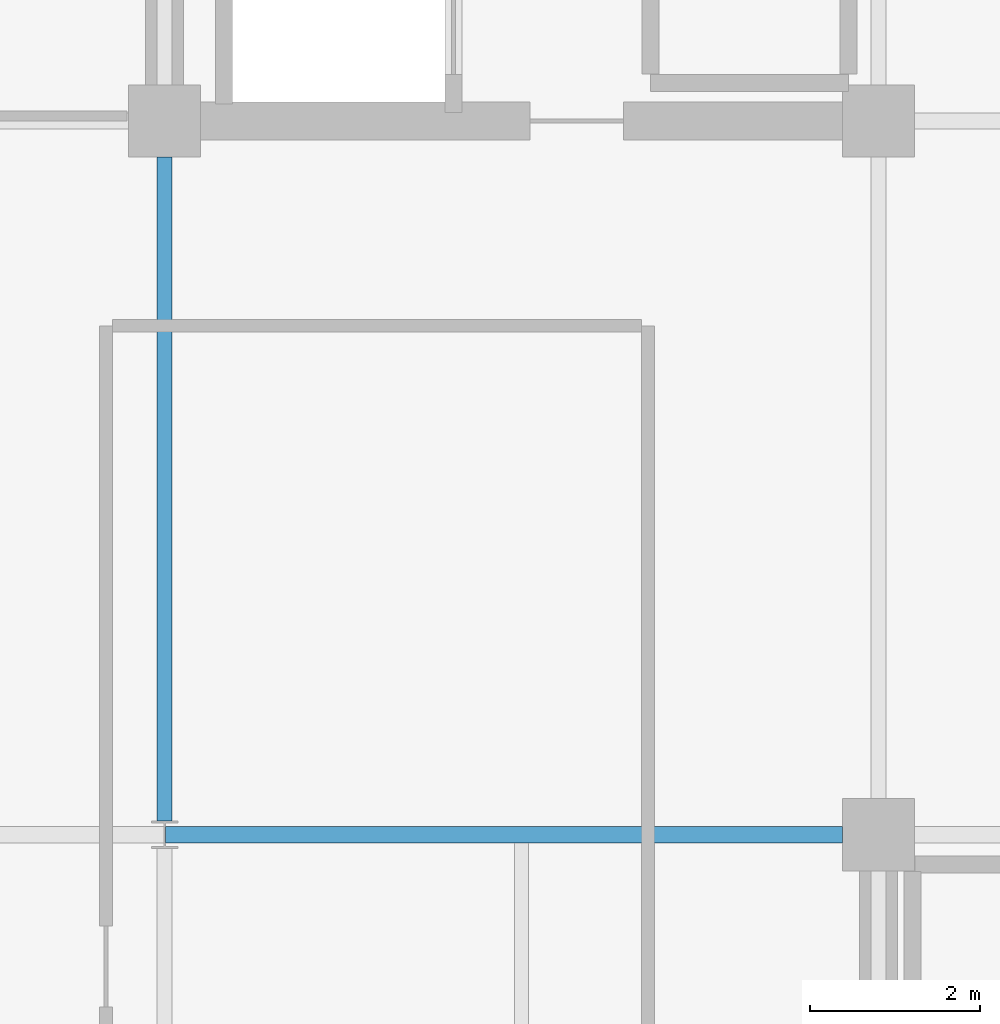
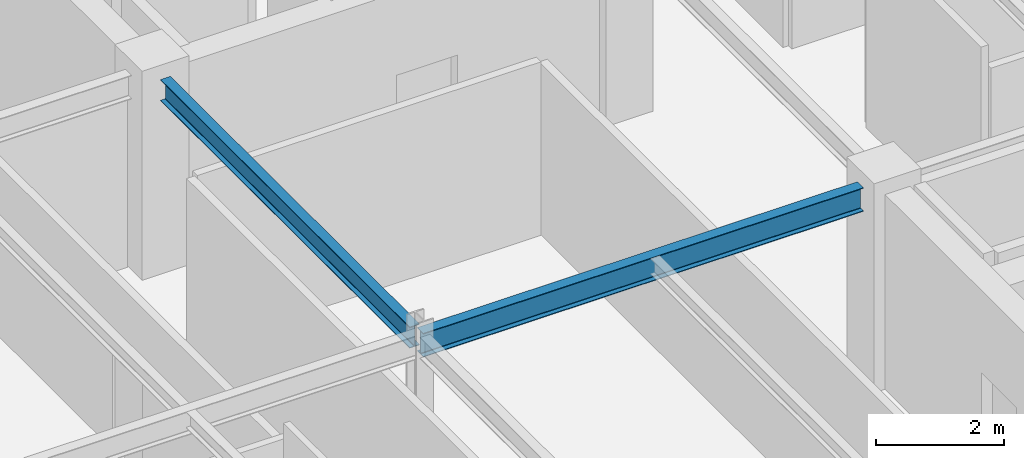
# One storey, part 10 of 26: 2 beams.
"""IFC4 building model written with IfcOpenShell, lengths in metres."""

from ifc_helpers import new_model, si_unit, direction, frame, origin, origin_2d, place, context, subcontext, project, spatial, i_section, extrude, material, material_profile, profile_set, type_object, element, save


model = new_model("IFC4")

# Units and contexts
model_context = context("Model", 3, precision=1e-05, world=origin(), true_north=direction((0.0, 1.0)))
body_context = subcontext(model_context, "Body", "Model", "MODEL_VIEW")
ifc_project = project(units=[si_unit("LENGTHUNIT", "METRE"), si_unit("AREAUNIT", "SQUARE_METRE"), si_unit("VOLUMEUNIT", "CUBIC_METRE"), si_unit("PLANEANGLEUNIT", "RADIAN"), si_unit("MASSUNIT", "GRAM", prefix="KILO")], contexts=[model_context])

# Site, building, storey
site_placement = place(None, origin())
site = spatial("IfcSite", under=ifc_project, at=site_placement, CompositionType="ELEMENT")
building_placement = place(site_placement, origin())
building = spatial("IfcBuilding", under=site, at=building_placement, Name="Nerrivon Quay Data Exchange", CompositionType="ELEMENT")
storey_placement = place(building_placement, frame((0.0, 0.0, 274.199951171875)))
storey = spatial("IfcBuildingStorey", under=building, at=storey_placement, Name="L65", CompositionType="ELEMENT", Elevation=274.199951171875)

# Beams
ifc_material = material(Name="Steel Grade 350", Category="steel")
ifc_material_profile_1 = material_profile(ifc_material, i_section(OverallWidth=0.18994140625, OverallDepth=0.4541015625, WebThickness=0.008544921875, FlangeThickness=0.0126953125, FilletRadius=0.011474609375, at=origin_2d()), Name="460UB67.1")
ifc_profile_set_1 = profile_set([ifc_material_profile_1], Name="Steel Grade 350")
beam_type_1 = type_object("IfcBeamType", Name="BM-G6-460UB67", PredefinedType="BEAM", material=ifc_profile_set_1)
beam_1_placement = place(storey_placement, frame((8.40771484375, 16.800048828125, 3.498046875), z_axis=(1.0, 0.0, 0.0), x_axis=(0.0, 1.0, 0.0)))
element("IfcBeam", 1, at=beam_1_placement, inside=storey, type_object=beam_type_1, Name="L65 EW Girder Y=16.8 (8.4..16.8)", PredefinedType="BEAM", context=body_context, shape_type="SweptSolid", body=[
    extrude(i_section(OverallWidth=0.18994140625, OverallDepth=0.4541015625, WebThickness=0.008544921875, FlangeThickness=0.0126953125, FilletRadius=0.011474609375, at=origin_2d()), origin(), (0.0, 0.0, 1.0), 7.96728515625),
])
ifc_material_profile_2 = material_profile(ifc_material, i_section(OverallWidth=0.177978515625, OverallDepth=0.406005859375, WebThickness=0.0078125, FlangeThickness=0.0126953125, FilletRadius=0.011474609375, at=origin_2d()), Name="410UB59.7")
ifc_profile_set_2 = profile_set([ifc_material_profile_2], Name="Steel Grade 350")
beam_type_2 = type_object("IfcBeamType", Name="BM-J1-410UB60", PredefinedType="JOIST", material=ifc_profile_set_2)
beam_2_placement = place(storey_placement, frame((8.39990234375, 16.96337890625, 3.52197265625), z_axis=(0.0, 1.0, 0.0), x_axis=(-1.0, 0.0, 0.0)))
element("IfcBeam", 2, at=beam_2_placement, inside=storey, type_object=beam_type_2, Name="L65 NS Girder X=8.4 (16.8..25.2)", PredefinedType="JOIST", context=body_context, shape_type="SweptSolid", body=[
    extrude(i_section(OverallWidth=0.177978515625, OverallDepth=0.406005859375, WebThickness=0.0078125, FlangeThickness=0.0126953125, FilletRadius=0.011474609375, at=origin_2d()), origin(), (0.0, 0.0, 1.0), 7.8115234375),
])

save(model, "model.ifc")
